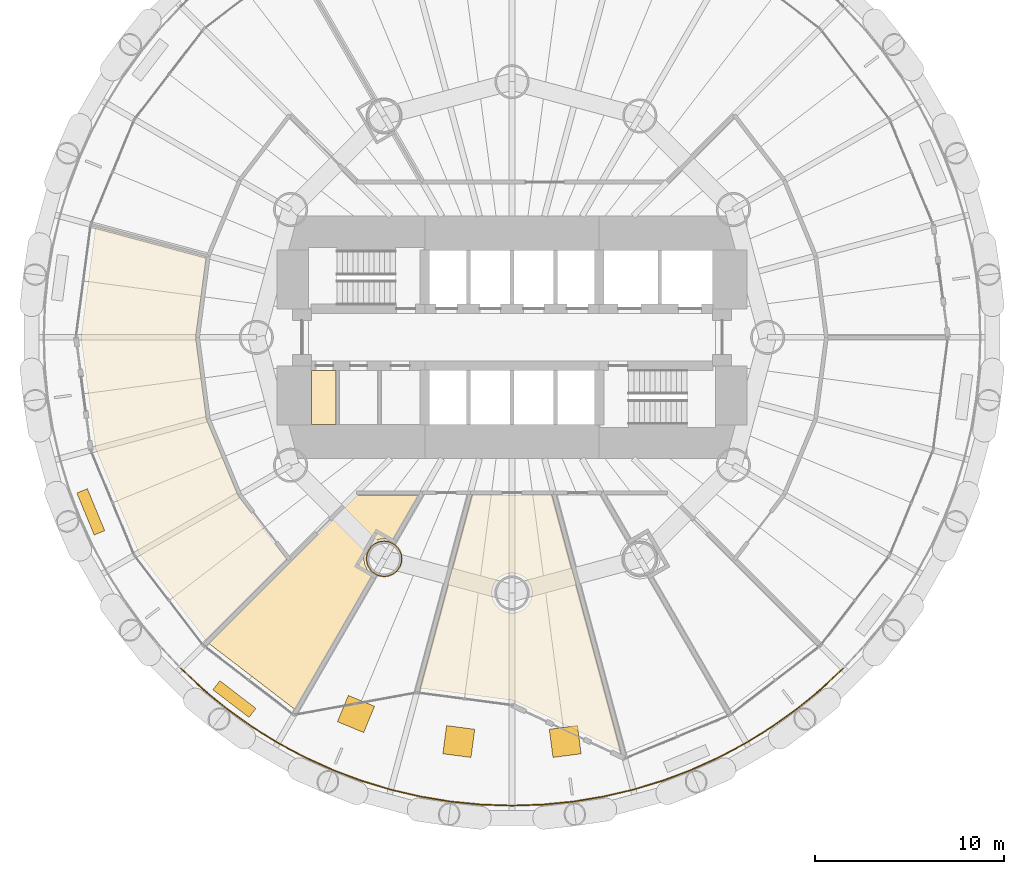
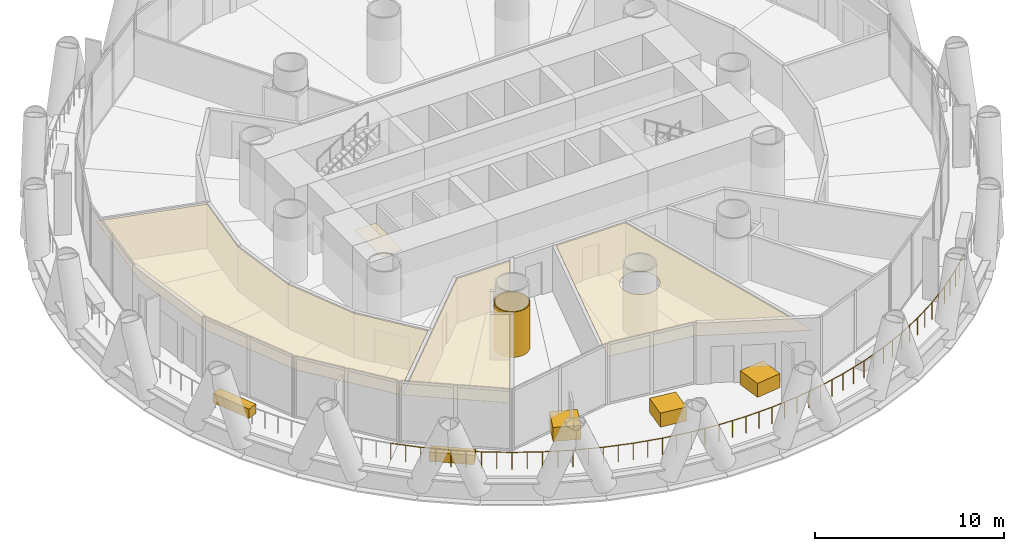
# One storey, part 12 of 15: 10 coverings, 1 railing.
"""IFC4 building model written with IfcOpenShell, lengths in metres."""

from ifc_helpers import new_model, si_unit, direction, frame, origin, origin_2d, place, context, subcontext, project, spatial, polyline, rectangle, circle, outline, extrude, material, layer, layer_set, type_object, element, save


model = new_model("IFC4")

# Units and contexts
model_context = context("Model", 3, precision=1e-05, world=origin(), true_north=direction((0.0, 1.0)))
body_context = subcontext(model_context, "Body", "Model", "MODEL_VIEW")
ifc_project = project(units=[si_unit("LENGTHUNIT", "METRE"), si_unit("AREAUNIT", "SQUARE_METRE"), si_unit("VOLUMEUNIT", "CUBIC_METRE"), si_unit("PLANEANGLEUNIT", "RADIAN"), si_unit("MASSUNIT", "GRAM", prefix="KILO")], contexts=[model_context])

# Site, building, storey
site_placement = place(None, origin())
site = spatial("IfcSite", under=ifc_project, at=site_placement, CompositionType="ELEMENT")
building_placement = place(site_placement, origin())
building = spatial("IfcBuilding", under=site, at=building_placement, Name="Qaws Media Tower", CompositionType="ELEMENT")
storey_placement = place(building_placement, frame((0.0, 0.0, 97.39990234375)))
storey = spatial("IfcBuildingStorey", under=building, at=storey_placement, Name="L21", CompositionType="ELEMENT", Elevation=97.39990234375)

# Railing
ifc_material_1 = material(Name="Stainless steel and glass guard", Category="steel")
railing_type = type_object("IfcRailingType", Name="Balcony guard 1100", PredefinedType="GUARDRAIL", material=ifc_material_1)
railing_placement = place(storey_placement, frame((42.516845703125, 32.516845703125, 0.0)))
element("IfcRailing", 1, at=railing_placement, inside=storey, type_object=railing_type, Name="GR1 balcony guard L21-3", PredefinedType="GUARDRAIL", context=body_context, shape_type="SweptSolid", body=[
    extrude(circle(Radius=0.02392578125, at=origin_2d()), frame((0.0, 0.0, 1.076171875), z_axis=(0.729814753813, -0.683644955453, 0.0), x_axis=(0.683644955453, 0.729814753813, 0.0)), (0.0, 0.0, 1.0), 1.6181640625),
    extrude(circle(Radius=0.02392578125, at=origin_2d()), frame((1.180908203125, -1.106201171875, 1.076171875), z_axis=(0.773035422992, -0.634362857361, 0.0), x_axis=(0.634362857361, 0.773035422992, 0.0)), (0.0, 0.0, 1.0), 1.617919921875),
    extrude(circle(Radius=0.02392578125, at=origin_2d()), frame((2.431640625, -2.132568359375, 1.076171875), z_axis=(0.812814745759, -0.582522264877, 0.0), x_axis=(0.582522264877, 0.812814745759, 0.0)), (0.0, 0.0, 1.0), 1.61767578125),
    extrude(circle(Radius=0.02392578125, at=origin_2d()), frame((3.74658203125, -3.074951171875, 1.076171875), z_axis=(0.84918291713, -0.528098829061, 0.0), x_axis=(0.528098829061, 0.84918291713, 0.0)), (0.0, 0.0, 1.0), 1.6181640625),
    extrude(circle(Radius=0.02392578125, at=origin_2d()), frame((5.12060546875, -3.929443359375, 1.076171875), z_axis=(0.88193491316, -0.471371200806, 0.0), x_axis=(0.471371200806, 0.88193491316, 0.0)), (0.0, 0.0, 1.0), 1.617919921875),
    extrude(circle(Radius=0.02392578125, at=origin_2d()), frame((6.547607421875, -4.692138671875, 1.076171875), z_axis=(0.91085679165, -0.412722552214, 0.0), x_axis=(0.412722552214, 0.91085679165, 0.0)), (0.0, 0.0, 1.0), 1.617919921875),
    extrude(circle(Radius=0.02392578125, at=origin_2d()), frame((8.021240234375, -5.35986328125, 1.076171875), z_axis=(0.935937951322, -0.352164948958, 0.0), x_axis=(0.352164948958, 0.935937951322, 0.0)), (0.0, 0.0, 1.0), 1.6181640625),
    extrude(circle(Radius=0.02392578125, at=origin_2d()), frame((9.53564453125, -5.9296875, 1.076171875), z_axis=(0.956920266949, -0.290350826937, 0.0), x_axis=(0.290350826937, 0.956920266949, 0.0)), (0.0, 0.0, 1.0), 1.61767578125),
    extrude(circle(Radius=0.02392578125, at=origin_2d()), frame((11.083740234375, -6.3994140625, 1.076171875), z_axis=(0.973880145585, -0.227062683053, 0.0), x_axis=(0.227062683053, 0.973880145585, 0.0)), (0.0, 0.0, 1.0), 1.6181640625),
    extrude(circle(Radius=0.02392578125, at=origin_2d()), frame((12.65966796875, -6.766845703125, 1.076171875), z_axis=(0.986653715018, -0.162832572423, 0.0), x_axis=(0.162832572423, 0.986653715018, 0.0)), (0.0, 0.0, 1.0), 1.61767578125),
    extrude(circle(Radius=0.02392578125, at=origin_2d()), frame((14.255859375, -7.0302734375, 1.076171875), z_axis=(0.995178112504, -0.098084271892, 0.0), x_axis=(0.098084271892, 0.995178112504, 0.0)), (0.0, 0.0, 1.0), 1.617919921875),
    extrude(circle(Radius=0.02392578125, at=origin_2d()), frame((15.865966796875, -7.18896484375, 1.076171875), z_axis=(0.999463833798, -0.032742097212, 0.0), x_axis=(0.032742097212, 0.999463833798, 0.0)), (0.0, 0.0, 1.0), 1.6181640625),
    extrude(circle(Radius=0.02392578125, at=origin_2d()), frame((17.483154296875, -7.241943359375, 1.076171875), z_axis=(0.999463833798, 0.032742097212, 0.0), x_axis=(-0.032742097212, 0.999463833798, 0.0)), (0.0, 0.0, 1.0), 1.6181640625),
    extrude(circle(Radius=0.02392578125, at=origin_2d()), frame((19.100341796875, -7.18896484375, 1.076171875), z_axis=(0.995178112504, 0.098084271892, 0.0), x_axis=(-0.098084271892, 0.995178112504, 0.0)), (0.0, 0.0, 1.0), 1.617919921875),
    extrude(circle(Radius=0.02392578125, at=origin_2d()), frame((20.71044921875, -7.0302734375, 1.076171875), z_axis=(0.986653715018, 0.162832572423, 0.0), x_axis=(-0.162832572423, 0.986653715018, 0.0)), (0.0, 0.0, 1.0), 1.61767578125),
    extrude(circle(Radius=0.02392578125, at=origin_2d()), frame((22.306640625, -6.766845703125, 1.076171875), z_axis=(0.973880145585, 0.227062683053, 0.0), x_axis=(-0.227062683053, 0.973880145585, 0.0)), (0.0, 0.0, 1.0), 1.6181640625),
    extrude(circle(Radius=0.02392578125, at=origin_2d()), frame((23.882568359375, -6.3994140625, 1.076171875), z_axis=(0.956920266949, 0.290350826937, 0.0), x_axis=(-0.290350826937, 0.956920266949, 0.0)), (0.0, 0.0, 1.0), 1.61767578125),
    extrude(circle(Radius=0.02392578125, at=origin_2d()), frame((25.4306640625, -5.9296875, 1.076171875), z_axis=(0.935937951322, 0.352164948958, 0.0), x_axis=(-0.352164948958, 0.935937951322, 0.0)), (0.0, 0.0, 1.0), 1.6181640625),
    extrude(circle(Radius=0.02392578125, at=origin_2d()), frame((26.945068359375, -5.35986328125, 1.076171875), z_axis=(0.91085679165, 0.412722552214, 0.0), x_axis=(-0.412722552214, 0.91085679165, 0.0)), (0.0, 0.0, 1.0), 1.617919921875),
    extrude(circle(Radius=0.02392578125, at=origin_2d()), frame((28.418701171875, -4.692138671875, 1.076171875), z_axis=(0.88193491316, 0.471371200806, 0.0), x_axis=(-0.471371200806, 0.88193491316, 0.0)), (0.0, 0.0, 1.0), 1.617919921875),
    extrude(circle(Radius=0.02392578125, at=origin_2d()), frame((29.845703125, -3.929443359375, 1.076171875), z_axis=(0.84918291713, 0.528098829061, 0.0), x_axis=(-0.528098829061, 0.84918291713, 0.0)), (0.0, 0.0, 1.0), 1.6181640625),
    extrude(circle(Radius=0.02392578125, at=origin_2d()), frame((31.2197265625, -3.074951171875, 1.076171875), z_axis=(0.812814745759, 0.582522264877, 0.0), x_axis=(-0.582522264877, 0.812814745759, 0.0)), (0.0, 0.0, 1.0), 1.61767578125),
    extrude(circle(Radius=0.02392578125, at=origin_2d()), frame((32.53466796875, -2.132568359375, 1.076171875), z_axis=(0.773035422992, 0.634362857361, 0.0), x_axis=(-0.634362857361, 0.773035422992, 0.0)), (0.0, 0.0, 1.0), 1.617919921875),
    extrude(circle(Radius=0.02392578125, at=origin_2d()), frame((33.785400390625, -1.106201171875, 1.076171875), z_axis=(0.729814753813, 0.683644955453, 0.0), x_axis=(-0.683644955453, 0.729814753813, 0.0)), (0.0, 0.0, 1.0), 1.6181640625),
    extrude(circle(Radius=0.02099609375, at=origin_2d()), origin(), (0.0, 0.0, 1.0), 1.052001953125),
    extrude(circle(Radius=0.02099609375, at=origin_2d()), frame((0.59033203125, -0.55322265625, 0.0)), (0.0, 0.0, 1.0), 1.052001953125),
    extrude(circle(Radius=0.02099609375, at=origin_2d()), frame((1.180908203125, -1.106201171875, 0.0)), (0.0, 0.0, 1.0), 1.052001953125),
    extrude(circle(Radius=0.02099609375, at=origin_2d()), frame((1.80615234375, -1.619384765625, 0.0)), (0.0, 0.0, 1.0), 1.052001953125),
    extrude(circle(Radius=0.02099609375, at=origin_2d()), frame((2.431640625, -2.132568359375, 0.0)), (0.0, 0.0, 1.0), 1.052001953125),
    extrude(circle(Radius=0.02099609375, at=origin_2d()), frame((3.089111328125, -2.603759765625, 0.0)), (0.0, 0.0, 1.0), 1.052001953125),
    extrude(circle(Radius=0.02099609375, at=origin_2d()), frame((3.74658203125, -3.074951171875, 0.0)), (0.0, 0.0, 1.0), 1.052001953125),
    extrude(circle(Radius=0.02099609375, at=origin_2d()), frame((4.43359375, -3.502197265625, 0.0)), (0.0, 0.0, 1.0), 1.052001953125),
    extrude(circle(Radius=0.02099609375, at=origin_2d()), frame((5.12060546875, -3.929443359375, 0.0)), (0.0, 0.0, 1.0), 1.052001953125),
    extrude(circle(Radius=0.02099609375, at=origin_2d()), frame((5.833984375, -4.310791015625, 0.0)), (0.0, 0.0, 1.0), 1.052001953125),
    extrude(circle(Radius=0.02099609375, at=origin_2d()), frame((6.547607421875, -4.692138671875, 0.0)), (0.0, 0.0, 1.0), 1.052001953125),
    extrude(circle(Radius=0.02099609375, at=origin_2d()), frame((7.284423828125, -5.02587890625, 0.0)), (0.0, 0.0, 1.0), 1.052001953125),
    extrude(circle(Radius=0.02099609375, at=origin_2d()), frame((8.021240234375, -5.35986328125, 0.0)), (0.0, 0.0, 1.0), 1.052001953125),
    extrude(circle(Radius=0.02099609375, at=origin_2d()), frame((8.7783203125, -5.644775390625, 0.0)), (0.0, 0.0, 1.0), 1.052001953125),
    extrude(circle(Radius=0.02099609375, at=origin_2d()), frame((9.53564453125, -5.9296875, 0.0)), (0.0, 0.0, 1.0), 1.052001953125),
    extrude(circle(Radius=0.02099609375, at=origin_2d()), frame((10.3095703125, -6.16455078125, 0.0)), (0.0, 0.0, 1.0), 1.052001953125),
    extrude(circle(Radius=0.02099609375, at=origin_2d()), frame((11.083740234375, -6.3994140625, 0.0)), (0.0, 0.0, 1.0), 1.052001953125),
    extrude(circle(Radius=0.02099609375, at=origin_2d()), frame((11.87158203125, -6.5830078125, 0.0)), (0.0, 0.0, 1.0), 1.052001953125),
    extrude(circle(Radius=0.02099609375, at=origin_2d()), frame((12.65966796875, -6.766845703125, 0.0)), (0.0, 0.0, 1.0), 1.052001953125),
    extrude(circle(Radius=0.02099609375, at=origin_2d()), frame((13.457763671875, -6.8984375, 0.0)), (0.0, 0.0, 1.0), 1.052001953125),
    extrude(circle(Radius=0.02099609375, at=origin_2d()), frame((14.255859375, -7.0302734375, 0.0)), (0.0, 0.0, 1.0), 1.052001953125),
    extrude(circle(Radius=0.02099609375, at=origin_2d()), frame((15.06103515625, -7.109619140625, 0.0)), (0.0, 0.0, 1.0), 1.052001953125),
    extrude(circle(Radius=0.02099609375, at=origin_2d()), frame((15.865966796875, -7.18896484375, 0.0)), (0.0, 0.0, 1.0), 1.052001953125),
    extrude(circle(Radius=0.02099609375, at=origin_2d()), frame((16.674560546875, -7.21533203125, 0.0)), (0.0, 0.0, 1.0), 1.052001953125),
    extrude(circle(Radius=0.02099609375, at=origin_2d()), frame((17.483154296875, -7.241943359375, 0.0)), (0.0, 0.0, 1.0), 1.052001953125),
    extrude(circle(Radius=0.02099609375, at=origin_2d()), frame((18.291748046875, -7.21533203125, 0.0)), (0.0, 0.0, 1.0), 1.052001953125),
    extrude(circle(Radius=0.02099609375, at=origin_2d()), frame((19.100341796875, -7.18896484375, 0.0)), (0.0, 0.0, 1.0), 1.052001953125),
    extrude(circle(Radius=0.02099609375, at=origin_2d()), frame((19.9052734375, -7.109619140625, 0.0)), (0.0, 0.0, 1.0), 1.052001953125),
    extrude(circle(Radius=0.02099609375, at=origin_2d()), frame((20.71044921875, -7.0302734375, 0.0)), (0.0, 0.0, 1.0), 1.052001953125),
    extrude(circle(Radius=0.02099609375, at=origin_2d()), frame((21.508544921875, -6.8984375, 0.0)), (0.0, 0.0, 1.0), 1.052001953125),
    extrude(circle(Radius=0.02099609375, at=origin_2d()), frame((22.306640625, -6.766845703125, 0.0)), (0.0, 0.0, 1.0), 1.052001953125),
    extrude(circle(Radius=0.02099609375, at=origin_2d()), frame((23.0947265625, -6.5830078125, 0.0)), (0.0, 0.0, 1.0), 1.052001953125),
    extrude(circle(Radius=0.02099609375, at=origin_2d()), frame((23.882568359375, -6.3994140625, 0.0)), (0.0, 0.0, 1.0), 1.052001953125),
    extrude(circle(Radius=0.02099609375, at=origin_2d()), frame((24.65673828125, -6.16455078125, 0.0)), (0.0, 0.0, 1.0), 1.052001953125),
    extrude(circle(Radius=0.02099609375, at=origin_2d()), frame((25.4306640625, -5.9296875, 0.0)), (0.0, 0.0, 1.0), 1.052001953125),
    extrude(circle(Radius=0.02099609375, at=origin_2d()), frame((26.18798828125, -5.644775390625, 0.0)), (0.0, 0.0, 1.0), 1.052001953125),
    extrude(circle(Radius=0.02099609375, at=origin_2d()), frame((26.945068359375, -5.35986328125, 0.0)), (0.0, 0.0, 1.0), 1.052001953125),
    extrude(circle(Radius=0.02099609375, at=origin_2d()), frame((27.681884765625, -5.02587890625, 0.0)), (0.0, 0.0, 1.0), 1.052001953125),
    extrude(circle(Radius=0.02099609375, at=origin_2d()), frame((28.418701171875, -4.692138671875, 0.0)), (0.0, 0.0, 1.0), 1.052001953125),
    extrude(circle(Radius=0.02099609375, at=origin_2d()), frame((29.13232421875, -4.310791015625, 0.0)), (0.0, 0.0, 1.0), 1.052001953125),
    extrude(circle(Radius=0.02099609375, at=origin_2d()), frame((29.845703125, -3.929443359375, 0.0)), (0.0, 0.0, 1.0), 1.052001953125),
    extrude(circle(Radius=0.02099609375, at=origin_2d()), frame((30.53271484375, -3.502197265625, 0.0)), (0.0, 0.0, 1.0), 1.052001953125),
    extrude(circle(Radius=0.02099609375, at=origin_2d()), frame((31.2197265625, -3.074951171875, 0.0)), (0.0, 0.0, 1.0), 1.052001953125),
    extrude(circle(Radius=0.02099609375, at=origin_2d()), frame((31.877197265625, -2.603759765625, 0.0)), (0.0, 0.0, 1.0), 1.052001953125),
    extrude(circle(Radius=0.02099609375, at=origin_2d()), frame((32.53466796875, -2.132568359375, 0.0)), (0.0, 0.0, 1.0), 1.052001953125),
    extrude(circle(Radius=0.02099609375, at=origin_2d()), frame((33.16015625, -1.619384765625, 0.0)), (0.0, 0.0, 1.0), 1.052001953125),
    extrude(circle(Radius=0.02099609375, at=origin_2d()), frame((33.785400390625, -1.106201171875, 0.0)), (0.0, 0.0, 1.0), 1.052001953125),
    extrude(circle(Radius=0.02099609375, at=origin_2d()), frame((34.3759765625, -0.55322265625, 0.0)), (0.0, 0.0, 1.0), 1.052001953125),
    extrude(circle(Radius=0.02099609375, at=origin_2d()), frame((34.96630859375, 0.0, 0.0)), (0.0, 0.0, 1.0), 1.052001953125),
])

# Coverings
ifc_material_2 = material(Name="Two layers 15 fire-rated gypsum board on steel framing", Category="steel")
ifc_layer_1 = layer(ifc_material_2, 0.050048828125)
ifc_layer_set_1 = layer_set([ifc_layer_1], Name="Column fire casing")
covering_type_1 = type_object("IfcCoveringType", Name="Column fire casing", PredefinedType="CLADDING", material=ifc_layer_set_1)
covering_1_placement = place(storey_placement, origin())
element("IfcCovering", 2, at=covering_1_placement, inside=storey, type_object=covering_type_1, Name="CC1 column casing L21", PredefinedType="CLADDING", context=body_context, shape_type="SweptSolid", body=[
    extrude(outline(polyline([(54.205078125, 38.30859375), (54.19677734375, 38.18408203125), (54.172607421875, 38.0615234375), (54.13232421875, 37.943115234375), (54.0771484375, 37.831298828125), (54.0078125, 37.727294921875), (53.92529296875, 37.63330078125), (53.831298828125, 37.551025390625), (53.7275390625, 37.481689453125), (53.615478515625, 37.426513671875), (53.497314453125, 37.38623046875), (53.374755859375, 37.36181640625), (53.25, 37.353759765625), (53.125244140625, 37.36181640625), (53.002685546875, 37.38623046875), (52.884521484375, 37.426513671875), (52.7724609375, 37.481689453125), (52.668701171875, 37.551025390625), (52.57470703125, 37.63330078125), (52.4921875, 37.727294921875), (52.4228515625, 37.831298828125), (52.36767578125, 37.943115234375), (52.327392578125, 38.0615234375), (52.30322265625, 38.18408203125), (52.294921875, 38.30859375), (52.30322265625, 38.433349609375), (52.327392578125, 38.555908203125), (52.36767578125, 38.674072265625), (52.4228515625, 38.7861328125), (52.4921875, 38.889892578125), (52.57470703125, 38.98388671875), (52.668701171875, 39.06640625), (52.7724609375, 39.1357421875), (52.884521484375, 39.19091796875), (53.002685546875, 39.231201171875), (53.125244140625, 39.255615234375), (53.25, 39.263671875), (53.374755859375, 39.255615234375), (53.497314453125, 39.231201171875), (53.615478515625, 39.19091796875), (53.7275390625, 39.1357421875), (53.831298828125, 39.06640625), (53.92529296875, 38.98388671875), (54.0078125, 38.889892578125), (54.0771484375, 38.7861328125), (54.13232421875, 38.674072265625), (54.172607421875, 38.555908203125), (54.19677734375, 38.433349609375), (54.205078125, 38.30859375)]), holes=[polyline([(54.153076171875, 38.30859375), (54.145263671875, 38.19091796875), (54.122314453125, 38.074951171875), (54.084228515625, 37.963134765625), (54.031982421875, 37.857177734375), (53.96630859375, 37.7587890625), (53.888427734375, 37.670166015625), (53.7998046875, 37.59228515625), (53.701416015625, 37.526611328125), (53.595703125, 37.474365234375), (53.483642578125, 37.436279296875), (53.367919921875, 37.413330078125), (53.25, 37.40576171875), (53.132080078125, 37.413330078125), (53.016357421875, 37.436279296875), (52.904296875, 37.474365234375), (52.798583984375, 37.526611328125), (52.7001953125, 37.59228515625), (52.611572265625, 37.670166015625), (52.53369140625, 37.7587890625), (52.468017578125, 37.857177734375), (52.415771484375, 37.963134765625), (52.377685546875, 38.074951171875), (52.354736328125, 38.19091796875), (52.346923828125, 38.30859375), (52.354736328125, 38.426513671875), (52.377685546875, 38.54248046875), (52.415771484375, 38.654296875), (52.468017578125, 38.76025390625), (52.53369140625, 38.8583984375), (52.611572265625, 38.947265625), (52.7001953125, 39.025146484375), (52.798583984375, 39.0908203125), (52.904296875, 39.142822265625), (53.016357421875, 39.180908203125), (53.132080078125, 39.203857421875), (53.25, 39.211669921875), (53.367919921875, 39.203857421875), (53.483642578125, 39.180908203125), (53.595703125, 39.142822265625), (53.701416015625, 39.0908203125), (53.7998046875, 39.025146484375), (53.888427734375, 38.947265625), (53.96630859375, 38.8583984375), (54.031982421875, 38.76025390625), (54.084228515625, 38.654296875), (54.122314453125, 38.54248046875), (54.145263671875, 38.426513671875), (54.153076171875, 38.30859375)])]), origin(), (0.0, 0.0, 1.0), 2.93017578125),
])
ifc_material_3 = material(Name="600 x 600 mineral fibre tiles in exposed grid, suspended", Category="mineral fibre")
ifc_layer_2 = layer(ifc_material_3, 0.02001953125)
ifc_layer_set_2 = layer_set([ifc_layer_2], Name="Mineral fibre tile ceiling 20")
covering_type_2 = type_object("IfcCoveringType", Name="Mineral fibre tile ceiling 20", PredefinedType="CEILING", material=ifc_layer_set_2)
covering_2_placement = place(storey_placement, frame((0.0, 0.0, 2.85009765625)))
element("IfcCovering", 3, at=covering_2_placement, inside=storey, type_object=covering_type_2, Name="CL1 ceiling L21-05 Server room", PredefinedType="CEILING", context=body_context, shape_type="SweptSolid", body=[
    extrude(outline(polyline([(43.99609375, 33.8369140625), (51.8466796875, 41.6875), (55.07080078125, 41.6875), (53.678955078125, 39.276611328125), (53.655517578125, 39.2880859375), (53.5244140625, 39.33251953125), (53.388427734375, 39.359619140625), (53.25, 39.36865234375), (53.111572265625, 39.359619140625), (52.9755859375, 39.33251953125), (52.844482421875, 39.2880859375), (52.719970703125, 39.2265625), (52.604736328125, 39.149658203125), (52.50048828125, 39.05810546875), (52.408935546875, 38.953857421875), (52.33203125, 38.838623046875), (52.270751953125, 38.71435546875), (52.22607421875, 38.5830078125), (52.19921875, 38.447021484375), (52.18994140625, 38.30859375), (52.19921875, 38.17041015625), (52.22607421875, 38.0341796875), (52.270751953125, 37.903076171875), (52.33203125, 37.77880859375), (52.408935546875, 37.663330078125), (52.50048828125, 37.55908203125), (52.604736328125, 37.4677734375), (52.626220703125, 37.453369140625), (48.52978515625, 30.358154296875), (43.99609375, 33.8369140625)])), origin(), (0.0, 0.0, 1.0), 0.02001953125),
])
covering_3_placement = place(storey_placement, frame((0.0, 0.0, 2.85009765625)))
element("IfcCovering", 4, at=covering_3_placement, inside=storey, type_object=covering_type_2, Name="CL1 ceiling L21-C04 Cleaner's room", PredefinedType="CEILING", context=body_context, shape_type="SweptSolid", body=[
    extrude(outline(polyline([(49.39990234375, 45.39990234375), (49.39990234375, 48.25), (50.699951171875, 48.25), (50.699951171875, 45.39990234375), (49.39990234375, 45.39990234375)])), origin(), (0.0, 0.0, 1.0), 0.02001953125),
])
ifc_material_4 = material(Name="Precast concrete planter with trailing planting", Category="concrete")
ifc_layer_3 = layer(ifc_material_4, 0.60009765625)
ifc_layer_set_3 = layer_set([ifc_layer_3], Name="Planter 2400x600")
covering_type_3 = type_object("IfcCoveringType", Name="Planter 2400x600", PredefinedType="USERDEFINED", material=ifc_layer_set_3)
for number, where, z_axis, x_axis, name in (
    (5, (37.757568359375, 40.786865234375, 0.0), (0.0, 0.0, 1.0), (0.382683432365, -0.923879532511, 0.0), "PL1 balcony planter L21-07"),
    (6, (45.343994140625, 30.89990234375, 0.0), (0.0, 0.0, 1.0), (0.793353340291, -0.608761429009, 0.0), "PL1 balcony planter L21-08"),
):
    element("IfcCovering", number, at=place(storey_placement, frame(where, z_axis=z_axis, x_axis=x_axis)), inside=storey, type_object=covering_type_3, Name=name, ObjectType="PLANTER", PredefinedType="USERDEFINED", context=body_context, shape_type="SweptSolid", body=[
        extrude(rectangle(XDim=2.39990234375, YDim=0.60009765625, at=origin_2d()), origin(), (0.0, 0.0, 1.0), 0.60009765625),
    ])
ifc_material_5 = material(Name="Two layers 12.5 moisture-resistant plasterboard on suspended metal furring", Category="gypsum")
ifc_layer_4 = layer(ifc_material_5, 0.02490234375)
ifc_layer_set_4 = layer_set([ifc_layer_4], Name="Plasterboard ceiling 25")
covering_type_4 = type_object("IfcCoveringType", Name="Plasterboard ceiling 25", PredefinedType="CEILING", material=ifc_layer_set_4)
covering_4_placement = place(storey_placement, frame((0.0, 0.0, 2.85009765625)))
element("IfcCovering", 7, at=covering_4_placement, inside=storey, type_object=covering_type_4, Name="CL2 ceiling L21-04 Media asset management office", PredefinedType="CEILING", context=body_context, shape_type="SweptSolid", body=[
    extrude(outline(polyline([(40.2890625, 38.619873046875), (38.015380859375, 44.109130859375), (37.23974609375, 50.0), (38.00048828125, 55.7783203125), (43.84130859375, 54.21337890625), (43.28662109375, 50.0), (43.85595703125, 45.67431640625), (45.525634765625, 41.643310546875), (48.11279296875, 38.271728515625), (43.8369140625, 33.99609375), (40.2890625, 38.619873046875)])), origin(), (0.0, 0.0, 1.0), 0.02490234375),
])
covering_5_placement = place(storey_placement, frame((0.0, 0.0, 2.85009765625)))
element("IfcCovering", 8, at=covering_5_placement, inside=storey, type_object=covering_type_4, Name="CL2 ceiling L21-07 Media library", PredefinedType="CEILING", context=body_context, shape_type="SweptSolid", body=[
    extrude(outline(polyline([(60.074951171875, 30.829833984375), (55.153564453125, 31.477783203125), (57.88916015625, 41.6875), (62.11083984375, 41.6875), (65.73681640625, 28.155029296875), (60.074951171875, 30.829833984375)]), holes=[polyline([(61.02392578125, 36.2255859375), (61.05078125, 36.361572265625), (61.06005859375, 36.5), (61.05078125, 36.638427734375), (61.02392578125, 36.7744140625), (60.979248046875, 36.905517578125), (60.91796875, 37.030029296875), (60.841064453125, 37.145263671875), (60.74951171875, 37.24951171875), (60.645263671875, 37.341064453125), (60.530029296875, 37.41796875), (60.405517578125, 37.479248046875), (60.2744140625, 37.52392578125), (60.138427734375, 37.55078125), (60.0, 37.56005859375), (59.861572265625, 37.55078125), (59.7255859375, 37.52392578125), (59.594482421875, 37.479248046875), (59.469970703125, 37.41796875), (59.354736328125, 37.341064453125), (59.25048828125, 37.24951171875), (59.158935546875, 37.145263671875), (59.08203125, 37.030029296875), (59.020751953125, 36.905517578125), (58.97607421875, 36.7744140625), (58.94921875, 36.638427734375), (58.93994140625, 36.5), (58.94921875, 36.361572265625), (58.97607421875, 36.2255859375), (59.020751953125, 36.094482421875), (59.08203125, 35.969970703125), (59.158935546875, 35.854736328125), (59.25048828125, 35.75048828125), (59.354736328125, 35.658935546875), (59.469970703125, 35.58203125), (59.594482421875, 35.520751953125), (59.7255859375, 35.47607421875), (59.861572265625, 35.44921875), (60.0, 35.43994140625), (60.138427734375, 35.44921875), (60.2744140625, 35.47607421875), (60.405517578125, 35.520751953125), (60.530029296875, 35.58203125), (60.645263671875, 35.658935546875), (60.74951171875, 35.75048828125), (60.841064453125, 35.854736328125), (60.91796875, 35.969970703125), (60.979248046875, 36.094482421875), (61.02392578125, 36.2255859375)])]), origin(), (0.0, 0.0, 1.0), 0.02490234375),
])
ifc_material_6 = material(Name="Precast concrete tree planter", Category="concrete")
ifc_layer_5 = layer(ifc_material_6, 0.89990234375)
ifc_layer_set_5 = layer_set([ifc_layer_5], Name="Tree planter 1500")
covering_type_5 = type_object("IfcCoveringType", Name="Tree planter 1500", PredefinedType="USERDEFINED", material=ifc_layer_set_5)
for number, where, z_axis, x_axis, name in (
    (9, (51.7626953125, 30.113525390625, 0.000244140625), (0.0, 0.0, 1.0), (-0.382683432365, -0.923879532511, 0.0), "PL2 sky garden tree planter L21-1"),
    (10, (57.1904296875, 28.6591796875, 0.000244140625), (0.0, 0.0, 1.0), (-0.13052619222, -0.991444861374, 0.0), "PL2 sky garden tree planter L21-2"),
    (11, (62.8095703125, 28.6591796875, 0.000244140625), (0.0, 0.0, 1.0), (0.13052619222, -0.991444861374, 0.0), "PL2 sky garden tree planter L21-3"),
):
    element("IfcCovering", number, at=place(storey_placement, frame(where, z_axis=z_axis, x_axis=x_axis)), inside=storey, type_object=covering_type_5, Name=name, ObjectType="PLANTER", PredefinedType="USERDEFINED", context=body_context, shape_type="SweptSolid", body=[
        extrude(rectangle(XDim=1.5, YDim=1.5, at=origin_2d()), origin(), (0.0, 0.0, 1.0), 0.89990234375),
    ])

save(model, "model.ifc")
